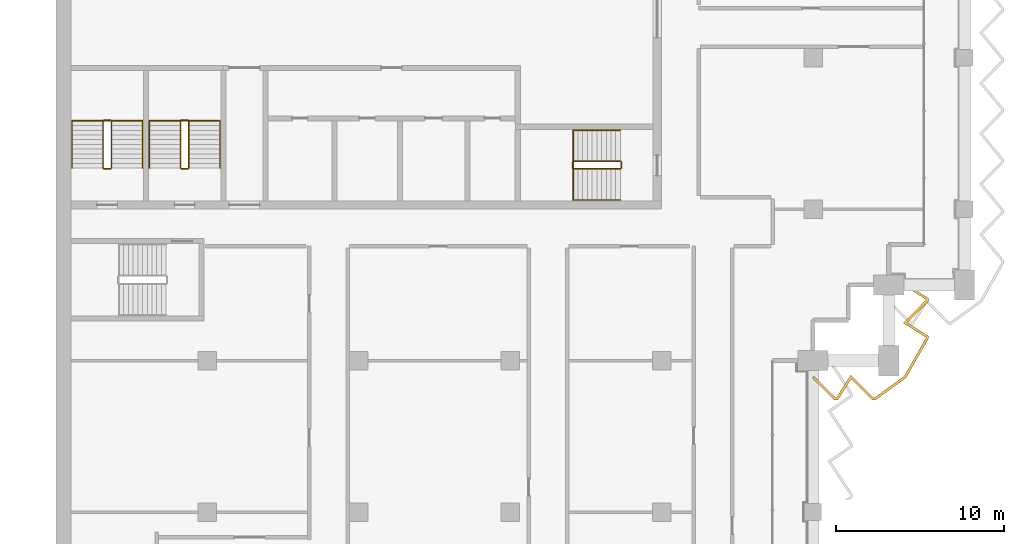
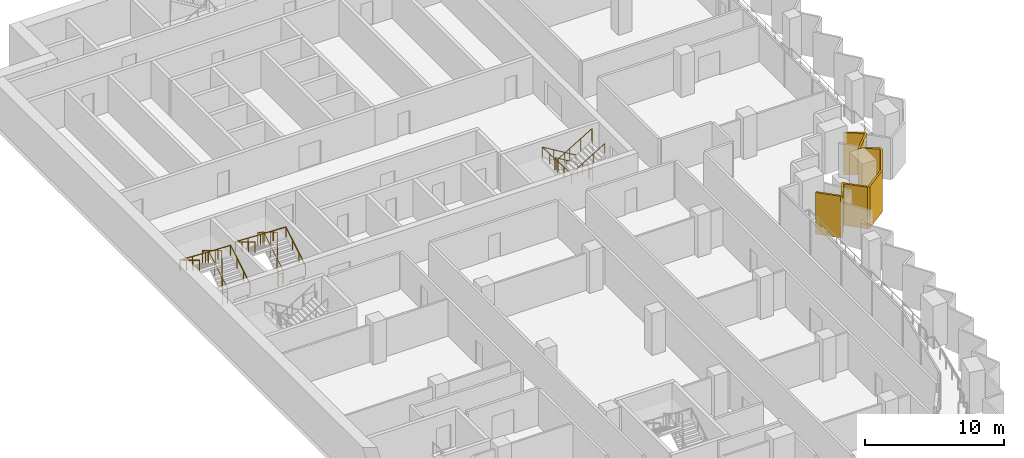
# One storey, part 17 of 18: 6 railings, 1 shading device.
"""IFC4 building model written with IfcOpenShell, lengths in metres."""

from ifc_helpers import new_model, si_unit, direction, frame, origin, origin_2d, place, context, subcontext, project, spatial, polyline, circle, outline, extrude, material, layer, layer_set, type_object, element, save


model = new_model("IFC4")

# Units and contexts
model_context = context("Model", 3, precision=1e-05, world=origin(), true_north=direction((0.0, 1.0)))
body_context = subcontext(model_context, "Body", "Model", "MODEL_VIEW")
ifc_project = project(units=[si_unit("LENGTHUNIT", "METRE"), si_unit("AREAUNIT", "SQUARE_METRE"), si_unit("VOLUMEUNIT", "CUBIC_METRE"), si_unit("PLANEANGLEUNIT", "RADIAN"), si_unit("MASSUNIT", "GRAM", prefix="KILO")], contexts=[model_context])

# Site, building, storey
site_placement = place(None, origin())
site = spatial("IfcSite", under=ifc_project, at=site_placement, CompositionType="ELEMENT")
building_placement = place(site_placement, origin())
building = spatial("IfcBuilding", under=site, at=building_placement, Name="Hunhe Ridgeline Campus", CompositionType="ELEMENT")
storey_placement = place(building_placement, frame((0.0, 0.0, 223.5)))
storey = spatial("IfcBuildingStorey", under=building, at=storey_placement, Name="L57", CompositionType="ELEMENT", Elevation=223.5)

# Shading device
ifc_material_1 = material(Name="Concrete C50", Category="concrete")
ifc_layer = layer(ifc_material_1, 0.14990234375)
ifc_layer_set = layer_set([ifc_layer], Name="Sawtooth concrete fin 150 Concrete C50")
shading_device_type = type_object("IfcShadingDeviceType", Name="Sawtooth concrete fin 150 Concrete C50", PredefinedType="USERDEFINED", material=ifc_layer_set)
shading_device_placement = place(storey_placement, frame((0.0, 0.0, -0.949951171875)))
element("IfcShadingDevice", 1, at=shading_device_placement, inside=storey, type_object=shading_device_type, Name="Concrete fin screen 2", ObjectType="FIN", PredefinedType="USERDEFINED", context=body_context, shape_type="SweptSolid", body=[
    extrude(outline(polyline([(45.052734375, 53.078125), (44.947265625, 52.9716796875), (46.279296875, 51.64990234375), (46.4716796875, 51.64990234375), (47.263671875, 52.906005859375), (48.529296875, 51.64990234375), (48.70458984375, 51.64990234375), (50.5322265625, 52.973876953125), (51.85009765625, 55.29052734375), (51.85009765625, 55.4716796875), (50.593994140625, 56.263671875), (51.85009765625, 57.529296875), (51.85009765625, 57.7216796875), (50.514892578125, 58.5634765625), (50.43505859375, 58.4365234375), (51.699951171875, 57.638916015625), (51.699951171875, 57.591064453125), (50.35595703125, 56.236328125), (51.699951171875, 55.388916015625), (51.699951171875, 55.330078125), (50.417724609375, 53.076171875), (48.656005859375, 51.800048828125), (48.591064453125, 51.800048828125), (47.236328125, 53.14404296875), (46.388916015625, 51.800048828125), (46.341064453125, 51.800048828125), (45.052734375, 53.078125)])), origin(), (0.0, 0.0, 1.0), 3.64990234375),
])

# Railings
ifc_material_2 = material(Name="Stainless steel balustrade", Category="steel")
railing_type_1 = type_object("IfcRailingType", Name="Stair guard 1100 stainless", PredefinedType="GUARDRAIL", material=ifc_material_2)
railing_1_placement = place(storey_placement, frame((33.550048828125, 65.85009765625, 0.168212890625)))
element("IfcRailing", 2, at=railing_1_placement, inside=storey, type_object=railing_type_1, Name="L57 stair S2 guard", PredefinedType="GUARDRAIL", context=body_context, shape_type="SweptSolid", body=[
    extrude(circle(Radius=0.02392578125, at=origin_2d()), frame((0.0, 0.0, 1.076171875), z_axis=(-0.857242210791, 0.0, 0.514913383045), x_axis=(0.0, -1.0, 0.0)), (0.0, 0.0, 1.0), 3.266357421875),
    extrude(circle(Radius=0.02392578125, at=origin_2d()), frame((-2.800048828125, 0.0, 2.7578125), z_axis=(-0.707106781187, -0.707106781187, 0.0), x_axis=(0.707106781187, -0.707106781187, 0.0)), (0.0, 0.0, 1.0), 0.07080078125),
    extrude(circle(Radius=0.02392578125, at=origin_2d()), frame((-2.85009765625, -0.050048828125, 2.7578125), z_axis=(0.0, -1.0, 0.0), x_axis=(1.0, 0.0, 0.0)), (0.0, 0.0, 1.0), 0.35009765625),
    extrude(circle(Radius=0.02392578125, at=origin_2d()), frame((-2.85009765625, -0.400146484375, 2.7578125), z_axis=(0.274582412415, -0.274582412415, 0.921525364591), x_axis=(0.707106781187, 0.707106781187, 0.0)), (0.0, 0.0, 1.0), 0.182373046875),
    extrude(circle(Radius=0.02392578125, at=origin_2d()), frame((-2.800048828125, -0.4501953125, 2.92578125), z_axis=(0.857242210791, 0.0, 0.514913383045), x_axis=(0.0, 1.0, 0.0)), (0.0, 0.0, 1.0), 3.266357421875),
    extrude(circle(Radius=0.02392578125, at=origin_2d()), frame((0.0, -0.4501953125, 4.60791015625), z_axis=(0.013524414389, 0.013524414389, -0.999817073484), x_axis=(-0.707106781187, 0.707106781187, 0.0)), (0.0, 0.0, 1.0), 3.70068359375),
    extrude(circle(Radius=0.02392578125, at=origin_2d()), frame((0.050048828125, -0.400146484375, 0.90771484375), z_axis=(0.0, 1.0, 0.0), x_axis=(-1.0, 0.0, 0.0)), (0.0, 0.0, 1.0), 0.35009765625),
    extrude(circle(Radius=0.02099609375, at=origin_2d()), origin(), (0.0, 0.0, 1.0), 1.052001953125),
    extrude(circle(Radius=0.02099609375, at=origin_2d()), frame((-0.933349609375, 0.0, 0.560546875)), (0.0, 0.0, 1.0), 1.052001953125),
    extrude(circle(Radius=0.02099609375, at=origin_2d()), frame((-1.86669921875, 0.0, 1.121337890625)), (0.0, 0.0, 1.0), 1.052001953125),
    extrude(circle(Radius=0.02099609375, at=origin_2d()), frame((-2.800048828125, 0.0, 1.681884765625)), (0.0, 0.0, 1.0), 1.052001953125),
    extrude(circle(Radius=0.02099609375, at=origin_2d()), frame((-2.85009765625, -0.050048828125, 1.681884765625)), (0.0, 0.0, 1.0), 1.052001953125),
    extrude(circle(Radius=0.02099609375, at=origin_2d()), frame((-2.85009765625, -0.400146484375, 1.681884765625)), (0.0, 0.0, 1.0), 1.052001953125),
    extrude(circle(Radius=0.02099609375, at=origin_2d()), frame((-2.800048828125, -0.4501953125, 1.849853515625)), (0.0, 0.0, 1.0), 1.052001953125),
    extrude(circle(Radius=0.02099609375, at=origin_2d()), frame((-1.86669921875, -0.4501953125, 2.410400390625)), (0.0, 0.0, 1.0), 1.052001953125),
    extrude(circle(Radius=0.02099609375, at=origin_2d()), frame((-0.933349609375, -0.4501953125, 2.97119140625)), (0.0, 0.0, 1.0), 1.052001953125),
    extrude(circle(Radius=0.02099609375, at=origin_2d()), frame((0.0, -0.4501953125, 3.53173828125)), (0.0, 0.0, 1.0), 1.052001953125),
    extrude(circle(Radius=0.02099609375, at=origin_2d()), frame((0.012451171875, -0.437744140625, 2.606689453125)), (0.0, 0.0, 1.0), 1.052001953125),
    extrude(circle(Radius=0.02099609375, at=origin_2d()), frame((0.02490234375, -0.42529296875, 1.681640625)), (0.0, 0.0, 1.0), 1.052001953125),
    extrude(circle(Radius=0.02099609375, at=origin_2d()), frame((0.03759765625, -0.41259765625, 0.7568359375)), (0.0, 0.0, 1.0), 1.052001953125),
    extrude(circle(Radius=0.02099609375, at=origin_2d()), frame((0.050048828125, -0.400146484375, -0.168212890625)), (0.0, 0.0, 1.0), 1.052001953125),
    extrude(circle(Radius=0.02099609375, at=origin_2d()), frame((0.050048828125, -0.050048828125, -0.168212890625)), (0.0, 0.0, 1.0), 1.052001953125),
])
railing_2_placement = place(storey_placement, frame((3.300048828125, 65.449951171875, 0.168212890625)))
element("IfcRailing", 3, at=railing_2_placement, inside=storey, type_object=railing_type_1, Name="L57 stair S3 guard", PredefinedType="GUARDRAIL", context=body_context, shape_type="SweptSolid", body=[
    extrude(circle(Radius=0.02392578125, at=origin_2d()), frame((0.0, 0.0, 1.076171875), z_axis=(0.0, 0.857242210791, 0.514913383045), x_axis=(-1.0, 0.0, 0.0)), (0.0, 0.0, 1.0), 3.266357421875),
    extrude(circle(Radius=0.02392578125, at=origin_2d()), frame((0.0, 2.800048828125, 2.7578125), z_axis=(-0.707106781187, 0.707106781187, 0.0), x_axis=(-0.707106781187, -0.707106781187, 0.0)), (0.0, 0.0, 1.0), 0.07080078125),
    extrude(circle(Radius=0.02392578125, at=origin_2d()), frame((-0.050048828125, 2.85009765625, 2.7578125), z_axis=(-1.0, 0.0, 0.0), x_axis=(0.0, -1.0, 0.0)), (0.0, 0.0, 1.0), 0.39990234375),
    extrude(circle(Radius=0.02392578125, at=origin_2d()), frame((-0.449951171875, 2.85009765625, 2.7578125), z_axis=(-0.274582412415, -0.274582412415, 0.921525364591), x_axis=(0.707106781187, -0.707106781187, 0.0)), (0.0, 0.0, 1.0), 0.182373046875),
    extrude(circle(Radius=0.02392578125, at=origin_2d()), frame((-0.5, 2.800048828125, 2.92578125), z_axis=(0.0, -0.857242210791, 0.514913383045), x_axis=(1.0, 0.0, 0.0)), (0.0, 0.0, 1.0), 3.266357421875),
    extrude(circle(Radius=0.02392578125, at=origin_2d()), frame((-0.5, 0.0, 4.60791015625), z_axis=(0.013524414389, -0.013524414389, -0.999817073484), x_axis=(0.707106781187, 0.707106781187, 0.0)), (0.0, 0.0, 1.0), 3.70068359375),
    extrude(circle(Radius=0.02392578125, at=origin_2d()), frame((-0.449951171875, -0.050048828125, 0.90771484375), z_axis=(1.0, 0.0, 0.0), x_axis=(0.0, 1.0, 0.0)), (0.0, 0.0, 1.0), 0.39990234375),
    extrude(circle(Radius=0.02099609375, at=origin_2d()), origin(), (0.0, 0.0, 1.0), 1.052001953125),
    extrude(circle(Radius=0.02099609375, at=origin_2d()), frame((0.0, 0.933349609375, 0.560546875)), (0.0, 0.0, 1.0), 1.052001953125),
    extrude(circle(Radius=0.02099609375, at=origin_2d()), frame((0.0, 1.86669921875, 1.121337890625)), (0.0, 0.0, 1.0), 1.052001953125),
    extrude(circle(Radius=0.02099609375, at=origin_2d()), frame((0.0, 2.800048828125, 1.681884765625)), (0.0, 0.0, 1.0), 1.052001953125),
    extrude(circle(Radius=0.02099609375, at=origin_2d()), frame((-0.050048828125, 2.85009765625, 1.681884765625)), (0.0, 0.0, 1.0), 1.052001953125),
    extrude(circle(Radius=0.02099609375, at=origin_2d()), frame((-0.449951171875, 2.85009765625, 1.681884765625)), (0.0, 0.0, 1.0), 1.052001953125),
    extrude(circle(Radius=0.02099609375, at=origin_2d()), frame((-0.5, 2.800048828125, 1.849853515625)), (0.0, 0.0, 1.0), 1.052001953125),
    extrude(circle(Radius=0.02099609375, at=origin_2d()), frame((-0.5, 1.86669921875, 2.410400390625)), (0.0, 0.0, 1.0), 1.052001953125),
    extrude(circle(Radius=0.02099609375, at=origin_2d()), frame((-0.5, 0.933349609375, 2.97119140625)), (0.0, 0.0, 1.0), 1.052001953125),
    extrude(circle(Radius=0.02099609375, at=origin_2d()), frame((-0.5, 0.0, 3.53173828125)), (0.0, 0.0, 1.0), 1.052001953125),
    extrude(circle(Radius=0.02099609375, at=origin_2d()), frame((-0.487548828125, -0.012451171875, 2.606689453125)), (0.0, 0.0, 1.0), 1.052001953125),
    extrude(circle(Radius=0.02099609375, at=origin_2d()), frame((-0.47509765625, -0.02490234375, 1.681640625)), (0.0, 0.0, 1.0), 1.052001953125),
    extrude(circle(Radius=0.02099609375, at=origin_2d()), frame((-0.46240234375, -0.03759765625, 0.7568359375)), (0.0, 0.0, 1.0), 1.052001953125),
    extrude(circle(Radius=0.02099609375, at=origin_2d()), frame((-0.449951171875, -0.050048828125, -0.168212890625)), (0.0, 0.0, 1.0), 1.052001953125),
    extrude(circle(Radius=0.02099609375, at=origin_2d()), frame((-0.050048828125, -0.050048828125, -0.168212890625)), (0.0, 0.0, 1.0), 1.052001953125),
])
railing_3_placement = place(storey_placement, frame((7.89990234375, 65.449951171875, 0.168212890625)))
element("IfcRailing", 4, at=railing_3_placement, inside=storey, type_object=railing_type_1, Name="L57 stair S4 guard", PredefinedType="GUARDRAIL", context=body_context, shape_type="SweptSolid", body=[
    extrude(circle(Radius=0.02392578125, at=origin_2d()), frame((0.0, 0.0, 1.076171875), z_axis=(0.0, 0.857242210791, 0.514913383045), x_axis=(-1.0, 0.0, 0.0)), (0.0, 0.0, 1.0), 3.266357421875),
    extrude(circle(Radius=0.02392578125, at=origin_2d()), frame((0.0, 2.800048828125, 2.7578125), z_axis=(-0.705375805398, 0.708833529934, 0.0), x_axis=(-0.708833529934, -0.705375805398, 0.0)), (0.0, 0.0, 1.0), 0.070556640625),
    extrude(circle(Radius=0.02392578125, at=origin_2d()), frame((-0.0498046875, 2.85009765625, 2.7578125), z_axis=(-1.0, 0.0, 0.0), x_axis=(0.0, -1.0, 0.0)), (0.0, 0.0, 1.0), 0.400146484375),
    extrude(circle(Radius=0.02392578125, at=origin_2d()), frame((-0.449951171875, 2.85009765625, 2.7578125), z_axis=(-0.274582412415, -0.274582412415, 0.921525364591), x_axis=(0.707106781187, -0.707106781187, 0.0)), (0.0, 0.0, 1.0), 0.182373046875),
    extrude(circle(Radius=0.02392578125, at=origin_2d()), frame((-0.5, 2.800048828125, 2.92578125), z_axis=(0.0, -0.857242210791, 0.514913383045), x_axis=(1.0, 0.0, 0.0)), (0.0, 0.0, 1.0), 3.266357421875),
    extrude(circle(Radius=0.02392578125, at=origin_2d()), frame((-0.5, 0.0, 4.60791015625), z_axis=(0.013524414389, -0.013524414389, -0.999817073484), x_axis=(0.707106781187, 0.707106781187, 0.0)), (0.0, 0.0, 1.0), 3.70068359375),
    extrude(circle(Radius=0.02392578125, at=origin_2d()), frame((-0.449951171875, -0.050048828125, 0.90771484375), z_axis=(1.0, 0.0, 0.0), x_axis=(0.0, 1.0, 0.0)), (0.0, 0.0, 1.0), 0.400146484375),
    extrude(circle(Radius=0.02099609375, at=origin_2d()), origin(), (0.0, 0.0, 1.0), 1.052001953125),
    extrude(circle(Radius=0.02099609375, at=origin_2d()), frame((0.0, 0.933349609375, 0.560546875)), (0.0, 0.0, 1.0), 1.052001953125),
    extrude(circle(Radius=0.02099609375, at=origin_2d()), frame((0.0, 1.86669921875, 1.121337890625)), (0.0, 0.0, 1.0), 1.052001953125),
    extrude(circle(Radius=0.02099609375, at=origin_2d()), frame((0.0, 2.800048828125, 1.681884765625)), (0.0, 0.0, 1.0), 1.052001953125),
    extrude(circle(Radius=0.02099609375, at=origin_2d()), frame((-0.0498046875, 2.85009765625, 1.681884765625)), (0.0, 0.0, 1.0), 1.052001953125),
    extrude(circle(Radius=0.02099609375, at=origin_2d()), frame((-0.449951171875, 2.85009765625, 1.681884765625)), (0.0, 0.0, 1.0), 1.052001953125),
    extrude(circle(Radius=0.02099609375, at=origin_2d()), frame((-0.5, 2.800048828125, 1.849853515625)), (0.0, 0.0, 1.0), 1.052001953125),
    extrude(circle(Radius=0.02099609375, at=origin_2d()), frame((-0.5, 1.86669921875, 2.410400390625)), (0.0, 0.0, 1.0), 1.052001953125),
    extrude(circle(Radius=0.02099609375, at=origin_2d()), frame((-0.5, 0.933349609375, 2.97119140625)), (0.0, 0.0, 1.0), 1.052001953125),
    extrude(circle(Radius=0.02099609375, at=origin_2d()), frame((-0.5, 0.0, 3.53173828125)), (0.0, 0.0, 1.0), 1.052001953125),
    extrude(circle(Radius=0.02099609375, at=origin_2d()), frame((-0.487548828125, -0.012451171875, 2.606689453125)), (0.0, 0.0, 1.0), 1.052001953125),
    extrude(circle(Radius=0.02099609375, at=origin_2d()), frame((-0.47509765625, -0.02490234375, 1.681640625)), (0.0, 0.0, 1.0), 1.052001953125),
    extrude(circle(Radius=0.02099609375, at=origin_2d()), frame((-0.46240234375, -0.03759765625, 0.7568359375)), (0.0, 0.0, 1.0), 1.052001953125),
    extrude(circle(Radius=0.02099609375, at=origin_2d()), frame((-0.449951171875, -0.050048828125, -0.168212890625)), (0.0, 0.0, 1.0), 1.052001953125),
    extrude(circle(Radius=0.02099609375, at=origin_2d()), frame((-0.0498046875, -0.050048828125, -0.168212890625)), (0.0, 0.0, 1.0), 1.052001953125),
])
ifc_material_3 = material(Name="Stainless steel handrail", Category="steel")
railing_type_2 = type_object("IfcRailingType", Name="Stair handrail 900 stainless", PredefinedType="HANDRAIL", material=ifc_material_3)
railing_4_placement = place(storey_placement, frame((33.550048828125, 67.699951171875, 0.168212890625)))
element("IfcRailing", 5, at=railing_4_placement, inside=storey, type_object=railing_type_2, Name="L57 stair S2 handrail", PredefinedType="HANDRAIL", context=body_context, shape_type="SweptSolid", body=[
    extrude(circle(Radius=0.02392578125, at=origin_2d()), frame((0.0, 0.0, 0.8759765625), z_axis=(-0.857242210791, 0.0, 0.514913383045), x_axis=(0.0, -1.0, 0.0)), (0.0, 0.0, 1.0), 3.266357421875),
    extrude(circle(Radius=0.02392578125, at=origin_2d()), frame((-2.800048828125, 0.0, 2.5576171875), z_axis=(0.0, -0.999181878101, 0.040442236271), x_axis=(1.0, 0.0, 0.0)), (0.0, 0.0, 1.0), 4.1533203125),
    extrude(circle(Radius=0.02392578125, at=origin_2d()), frame((-2.800048828125, -4.14990234375, 2.7255859375), z_axis=(0.857242210791, 0.0, 0.514913383045), x_axis=(0.0, 1.0, 0.0)), (0.0, 0.0, 1.0), 3.266357421875),
    extrude(circle(Radius=0.02099609375, at=origin_2d()), origin(), (0.0, 0.0, 1.0), 0.851806640625),
    extrude(circle(Radius=0.02099609375, at=origin_2d()), frame((-0.933349609375, 0.0, 0.560546875)), (0.0, 0.0, 1.0), 0.851806640625),
    extrude(circle(Radius=0.02099609375, at=origin_2d()), frame((-1.86669921875, 0.0, 1.121337890625)), (0.0, 0.0, 1.0), 0.851806640625),
    extrude(circle(Radius=0.02099609375, at=origin_2d()), frame((-2.800048828125, 0.0, 1.681884765625)), (0.0, 0.0, 1.0), 0.851806640625),
    extrude(circle(Radius=0.02099609375, at=origin_2d()), frame((-2.800048828125, -1.03759765625, 1.723876953125)), (0.0, 0.0, 1.0), 0.851806640625),
    extrude(circle(Radius=0.02099609375, at=origin_2d()), frame((-2.800048828125, -2.074951171875, 1.765869140625)), (0.0, 0.0, 1.0), 0.851806640625),
    extrude(circle(Radius=0.02099609375, at=origin_2d()), frame((-2.800048828125, -3.1123046875, 1.807861328125)), (0.0, 0.0, 1.0), 0.851806640625),
    extrude(circle(Radius=0.02099609375, at=origin_2d()), frame((-2.800048828125, -4.14990234375, 1.849853515625)), (0.0, 0.0, 1.0), 0.851806640625),
    extrude(circle(Radius=0.02099609375, at=origin_2d()), frame((-1.86669921875, -4.14990234375, 2.410400390625)), (0.0, 0.0, 1.0), 0.851806640625),
    extrude(circle(Radius=0.02099609375, at=origin_2d()), frame((-0.933349609375, -4.14990234375, 2.97119140625)), (0.0, 0.0, 1.0), 0.851806640625),
    extrude(circle(Radius=0.02099609375, at=origin_2d()), frame((0.0, -4.14990234375, 3.53173828125)), (0.0, 0.0, 1.0), 0.851806640625),
])
railing_5_placement = place(storey_placement, frame((5.14990234375, 65.449951171875, 0.168212890625)))
element("IfcRailing", 6, at=railing_5_placement, inside=storey, type_object=railing_type_2, Name="L57 stair S3 handrail", PredefinedType="HANDRAIL", context=body_context, shape_type="SweptSolid", body=[
    extrude(circle(Radius=0.02392578125, at=origin_2d()), frame((0.0, 0.0, 0.8759765625), z_axis=(0.0, 0.857242210791, 0.514913383045), x_axis=(-1.0, 0.0, 0.0)), (0.0, 0.0, 1.0), 3.266357421875),
    extrude(circle(Radius=0.02392578125, at=origin_2d()), frame((0.0, 2.800048828125, 2.5576171875), z_axis=(-0.99920123705, 0.0, 0.039961079526), x_axis=(0.0, -1.0, 0.0)), (0.0, 0.0, 1.0), 4.203369140625),
    extrude(circle(Radius=0.02392578125, at=origin_2d()), frame((-4.199951171875, 2.800048828125, 2.7255859375), z_axis=(0.0, -0.857242210791, 0.514913383045), x_axis=(1.0, 0.0, 0.0)), (0.0, 0.0, 1.0), 3.266357421875),
    extrude(circle(Radius=0.02099609375, at=origin_2d()), origin(), (0.0, 0.0, 1.0), 0.851806640625),
    extrude(circle(Radius=0.02099609375, at=origin_2d()), frame((0.0, 0.933349609375, 0.560546875)), (0.0, 0.0, 1.0), 0.851806640625),
    extrude(circle(Radius=0.02099609375, at=origin_2d()), frame((0.0, 1.86669921875, 1.121337890625)), (0.0, 0.0, 1.0), 0.851806640625),
    extrude(circle(Radius=0.02099609375, at=origin_2d()), frame((0.0, 2.800048828125, 1.681884765625)), (0.0, 0.0, 1.0), 0.851806640625),
    extrude(circle(Radius=0.02099609375, at=origin_2d()), frame((-1.050048828125, 2.800048828125, 1.723876953125)), (0.0, 0.0, 1.0), 0.851806640625),
    extrude(circle(Radius=0.02099609375, at=origin_2d()), frame((-2.10009765625, 2.800048828125, 1.765869140625)), (0.0, 0.0, 1.0), 0.851806640625),
    extrude(circle(Radius=0.02099609375, at=origin_2d()), frame((-3.14990234375, 2.800048828125, 1.807861328125)), (0.0, 0.0, 1.0), 0.851806640625),
    extrude(circle(Radius=0.02099609375, at=origin_2d()), frame((-4.199951171875, 2.800048828125, 1.849853515625)), (0.0, 0.0, 1.0), 0.851806640625),
    extrude(circle(Radius=0.02099609375, at=origin_2d()), frame((-4.199951171875, 1.86669921875, 2.410400390625)), (0.0, 0.0, 1.0), 0.851806640625),
    extrude(circle(Radius=0.02099609375, at=origin_2d()), frame((-4.199951171875, 0.933349609375, 2.97119140625)), (0.0, 0.0, 1.0), 0.851806640625),
    extrude(circle(Radius=0.02099609375, at=origin_2d()), frame((-4.199951171875, 0.0, 3.53173828125)), (0.0, 0.0, 1.0), 0.851806640625),
])
railing_6_placement = place(storey_placement, frame((9.75, 65.449951171875, 0.168212890625)))
element("IfcRailing", 7, at=railing_6_placement, inside=storey, type_object=railing_type_2, Name="L57 stair S4 handrail", PredefinedType="HANDRAIL", context=body_context, shape_type="SweptSolid", body=[
    extrude(circle(Radius=0.02392578125, at=origin_2d()), frame((0.0, 0.0, 0.8759765625), z_axis=(0.0, 0.857242210791, 0.514913383045), x_axis=(-1.0, 0.0, 0.0)), (0.0, 0.0, 1.0), 3.266357421875),
    extrude(circle(Radius=0.02392578125, at=origin_2d()), frame((0.0, 2.800048828125, 2.5576171875), z_axis=(-0.99920123705, 0.0, 0.039961079526), x_axis=(0.0, -1.0, 0.0)), (0.0, 0.0, 1.0), 4.203369140625),
    extrude(circle(Radius=0.02392578125, at=origin_2d()), frame((-4.199951171875, 2.800048828125, 2.7255859375), z_axis=(0.0, -0.857242210791, 0.514913383045), x_axis=(1.0, 0.0, 0.0)), (0.0, 0.0, 1.0), 3.266357421875),
    extrude(circle(Radius=0.02099609375, at=origin_2d()), origin(), (0.0, 0.0, 1.0), 0.851806640625),
    extrude(circle(Radius=0.02099609375, at=origin_2d()), frame((0.0, 0.933349609375, 0.560546875)), (0.0, 0.0, 1.0), 0.851806640625),
    extrude(circle(Radius=0.02099609375, at=origin_2d()), frame((0.0, 1.86669921875, 1.121337890625)), (0.0, 0.0, 1.0), 0.851806640625),
    extrude(circle(Radius=0.02099609375, at=origin_2d()), frame((0.0, 2.800048828125, 1.681884765625)), (0.0, 0.0, 1.0), 0.851806640625),
    extrude(circle(Radius=0.02099609375, at=origin_2d()), frame((-1.050048828125, 2.800048828125, 1.723876953125)), (0.0, 0.0, 1.0), 0.851806640625),
    extrude(circle(Radius=0.02099609375, at=origin_2d()), frame((-2.10009765625, 2.800048828125, 1.765869140625)), (0.0, 0.0, 1.0), 0.851806640625),
    extrude(circle(Radius=0.02099609375, at=origin_2d()), frame((-3.14990234375, 2.800048828125, 1.807861328125)), (0.0, 0.0, 1.0), 0.851806640625),
    extrude(circle(Radius=0.02099609375, at=origin_2d()), frame((-4.199951171875, 2.800048828125, 1.849853515625)), (0.0, 0.0, 1.0), 0.851806640625),
    extrude(circle(Radius=0.02099609375, at=origin_2d()), frame((-4.199951171875, 1.86669921875, 2.410400390625)), (0.0, 0.0, 1.0), 0.851806640625),
    extrude(circle(Radius=0.02099609375, at=origin_2d()), frame((-4.199951171875, 0.933349609375, 2.97119140625)), (0.0, 0.0, 1.0), 0.851806640625),
    extrude(circle(Radius=0.02099609375, at=origin_2d()), frame((-4.199951171875, 0.0, 3.53173828125)), (0.0, 0.0, 1.0), 0.851806640625),
])

save(model, "model.ifc")
